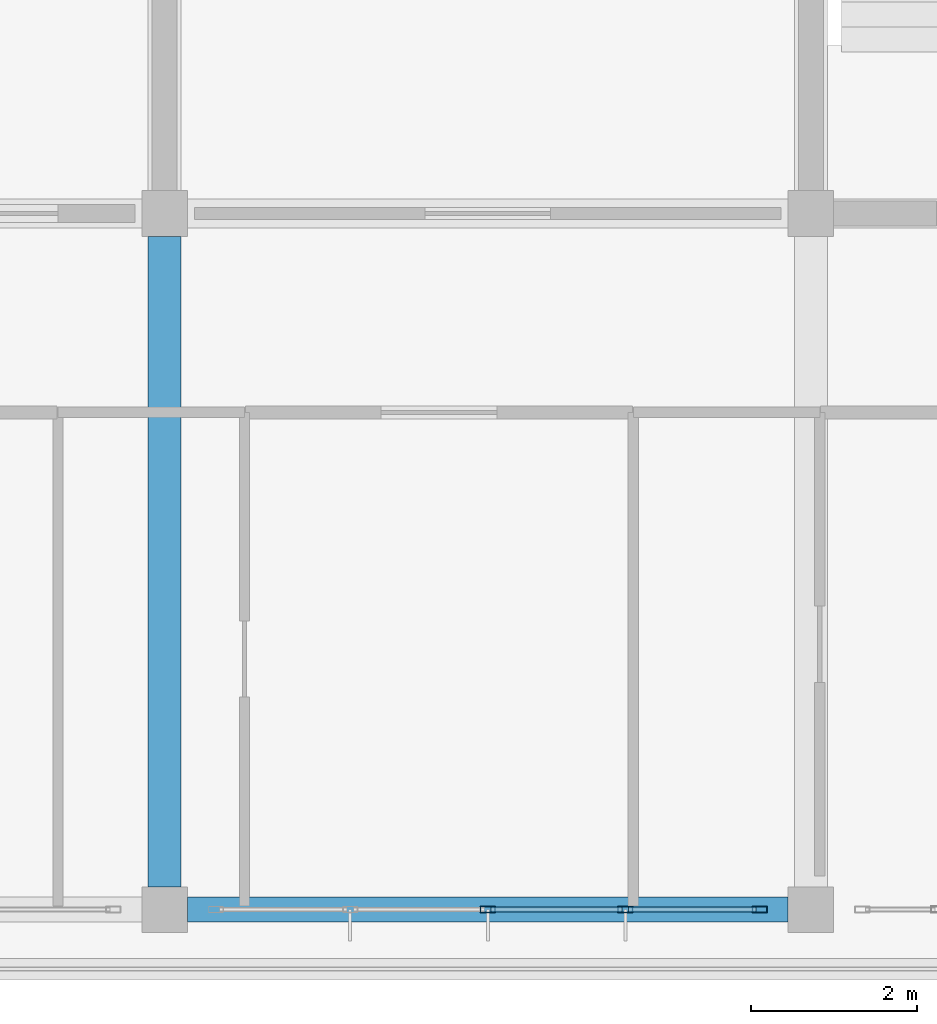
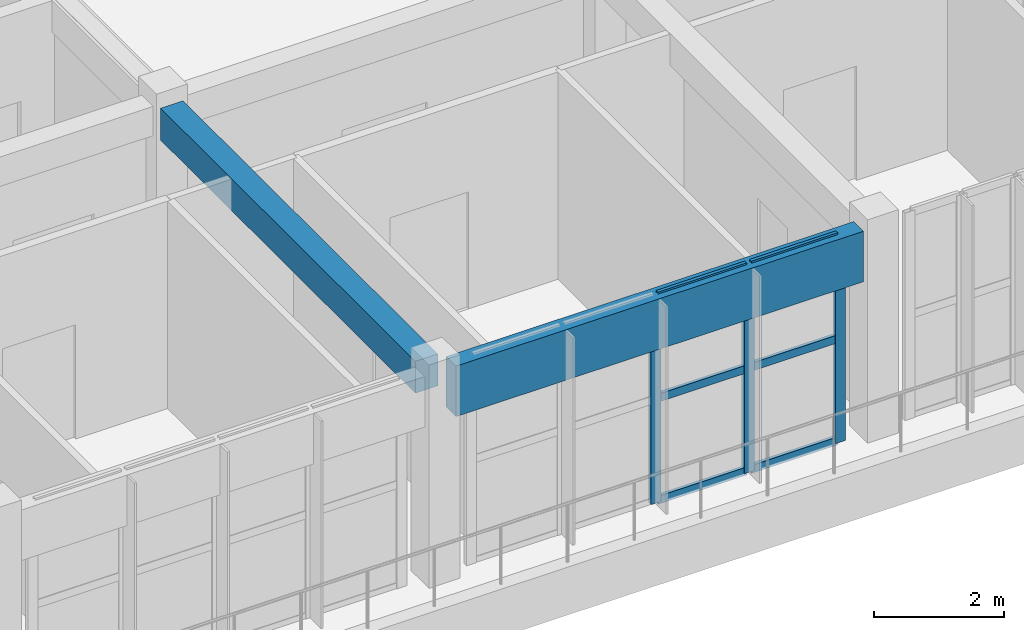
# One storey, part 14 of 44: 9 members, 2 beams, 1 element without a shape of its own.
"""IFC4 building model written with IfcOpenShell, lengths in metres."""

from ifc_helpers import new_model, si_unit, direction, frame, origin, origin_2d, place, context, subcontext, project, spatial, rectangle, hollow_rectangle, extrude, material, layer, layer_set, material_profile, profile_set, type_object, element, aggregate, save


model = new_model("IFC4")

# Units and contexts
model_context = context("Model", 3, precision=1e-05, world=origin(), true_north=direction((0.0, 1.0)))
body_context = subcontext(model_context, "Body", "Model", "MODEL_VIEW")
ifc_project = project(units=[si_unit("LENGTHUNIT", "METRE"), si_unit("AREAUNIT", "SQUARE_METRE"), si_unit("VOLUMEUNIT", "CUBIC_METRE"), si_unit("PLANEANGLEUNIT", "RADIAN"), si_unit("MASSUNIT", "GRAM", prefix="KILO")], contexts=[model_context])

# Site, building, storey
site_placement = place(None, origin())
site = spatial("IfcSite", under=ifc_project, at=site_placement, CompositionType="ELEMENT")
building_placement = place(site_placement, origin())
building = spatial("IfcBuilding", under=site, at=building_placement, Name="Zizhar Promenade General Hospital", CompositionType="ELEMENT")
storey_placement = place(building_placement, frame((0.0, 0.0, 34.800048828125)))
storey = spatial("IfcBuildingStorey", under=building, at=storey_placement, Name="L08", CompositionType="ELEMENT", Elevation=34.800048828125)

# Beams
ifc_material_1 = material(Name="Precast concrete C40/50", Category="concrete")
ifc_material_profile_1 = material_profile(ifc_material_1, rectangle(XDim=0.300048828125, YDim=0.949951171875, at=origin_2d()))
ifc_profile_set_1 = profile_set([ifc_material_profile_1], Name="Precast concrete C40/50")
beam_type_1 = type_object("IfcBeamType", Name="BM-PC-BAND950", PredefinedType="SPANDREL", material=ifc_profile_set_1)
beam_1_placement = place(storey_placement, frame((86.074951171875, 0.0, 3.43505859375), z_axis=(1.0, 0.0, 0.0), x_axis=(0.0, 1.0, 0.0)))
element("IfcBeam", 1, at=beam_1_placement, inside=storey, type_object=beam_type_1, Name="Grid Beam X L08 (11-0)", PredefinedType="SPANDREL", context=body_context, shape_type="SweptSolid", body=[
    extrude(rectangle(XDim=0.300048828125, YDim=0.949951171875, at=origin_2d()), origin(), (0.0, 0.0, 1.0), 7.25),
])
ifc_material_2 = material(Name="Concrete C35/45", Category="concrete")
ifc_material_profile_2 = material_profile(ifc_material_2, rectangle(XDim=0.39990234375, YDim=0.60009765625, at=origin_2d()))
ifc_profile_set_2 = profile_set([ifc_material_profile_2], Name="Concrete C35/45")
beam_type_2 = type_object("IfcBeamType", Name="BM-RC-400x600", PredefinedType="JOIST", material=ifc_profile_set_2)
beam_2_placement = place(storey_placement, frame((85.800048828125, 0.27490234375, 3.60986328125), z_axis=(0.0, 1.0, 0.0), x_axis=(-1.0, 0.0, 0.0)))
element("IfcBeam", 2, at=beam_2_placement, inside=storey, type_object=beam_type_2, Name="Grid Beam Y L08 (11-0)", PredefinedType="JOIST", context=body_context, shape_type="SweptSolid", body=[
    extrude(rectangle(XDim=0.39990234375, YDim=0.60009765625, at=origin_2d()), origin(), (0.0, 0.0, 1.0), 7.85009765625),
])

# Curtain wall, members
ifc_material_3 = material(Name="Anodised aluminium 6063-T6 and low-E glass", Category="aluminium")
ifc_layer = layer(ifc_material_3, 0.159912109375)
ifc_layer_set = layer_set([ifc_layer], Name="Anodised aluminium 6063-T6 and low-E glass")
curtain_wall_type = type_object("IfcCurtainWallType", Name="CW-WARD-RIB", PredefinedType="NOTDEFINED", material=ifc_layer_set)
curtain_wall_placement = place(storey_placement, origin())
curtain_wall = element("IfcCurtainWall", 3, at=curtain_wall_placement, inside=storey, type_object=curtain_wall_type, Name="Ward Ribbon Curtain Wall L08-17-1", PredefinedType="NOTDEFINED")
ifc_material_4 = material(Name="Anodised aluminium 6063-T6", Category="aluminium")
ifc_material_profile_3 = material_profile(ifc_material_4, hollow_rectangle(XDim=0.080078125, YDim=0.179931640625, WallThickness=0.0048828125, at=origin_2d()))
ifc_profile_set_3 = profile_set([ifc_material_profile_3], Name="Anodised aluminium 6063-T6")
member_type_1 = type_object("IfcMemberType", Name="CWM-ALU-180x80", PredefinedType="MULLION", material=ifc_profile_set_3)
member_1_placement = place(storey_placement, frame((92.97998046875, 0.0, 0.0), z_axis=(0.0, 0.0, 1.0), x_axis=(0.0, -1.0, 0.0)))
member_1 = element("IfcMember", 4, at=member_1_placement, type_object=member_type_1, Name="CW-13 mullion 1", PredefinedType="MULLION", context=body_context, shape_type="SweptSolid", body=[
    extrude(hollow_rectangle(XDim=0.080078125, YDim=0.179931640625, WallThickness=0.0048828125, at=origin_2d()), origin(), (0.0, 0.0, 1.0), 3.89990234375),
])
member_2_placement = place(storey_placement, frame((91.360107421875, 0.0, 0.0), z_axis=(0.0, 0.0, 1.0), x_axis=(0.0, -1.0, 0.0)))
member_2 = element("IfcMember", 5, at=member_2_placement, type_object=member_type_1, Name="CW-13 mullion 2", PredefinedType="MULLION", context=body_context, shape_type="SweptSolid", body=[
    extrude(hollow_rectangle(XDim=0.080078125, YDim=0.179931640625, WallThickness=0.0048828125, at=origin_2d()), origin(), (0.0, 0.0, 1.0), 3.89990234375),
])
member_3_placement = place(storey_placement, frame((89.699951171875, 0.0, 0.0), z_axis=(0.0, 0.0, 1.0), x_axis=(0.0, -1.0, 0.0)))
member_3 = element("IfcMember", 6, at=member_3_placement, type_object=member_type_1, Name="CW-13 mullion 3", PredefinedType="MULLION", context=body_context, shape_type="SweptSolid", body=[
    extrude(hollow_rectangle(XDim=0.080078125, YDim=0.179931640625, WallThickness=0.0048828125, at=origin_2d()), origin(), (0.0, 0.0, 1.0), 3.89990234375),
])
ifc_material_5 = material(Name="Anodised aluminium 6063-T6", Category="aluminium")
ifc_material_profile_4 = material_profile(ifc_material_5, hollow_rectangle(XDim=0.06005859375, YDim=0.14990234375, WallThickness=0.00390625, at=origin_2d()))
ifc_profile_set_4 = profile_set([ifc_material_profile_4], Name="Anodised aluminium 6063-T6")
member_type_2 = type_object("IfcMemberType", Name="CWT-ALU-150x60", PredefinedType="USERDEFINED", material=ifc_profile_set_4)
member_4_placement = place(storey_placement, frame((92.93994140625, 0.0, 0.030029296875), z_axis=(-1.0, 0.0, 0.0), x_axis=(0.0, -1.0, 0.0)))
member_4 = element("IfcMember", 7, at=member_4_placement, type_object=member_type_2, Name="CW-13 transom 1.1", ObjectType="TRANSOM", PredefinedType="USERDEFINED", context=body_context, shape_type="SweptSolid", body=[
    extrude(hollow_rectangle(XDim=0.06005859375, YDim=0.14990234375, WallThickness=0.00390625, at=origin_2d()), origin(), (0.0, 0.0, 1.0), 1.5400390625),
])
member_5_placement = place(storey_placement, frame((92.93994140625, 0.0, 1.949951171875), z_axis=(-1.0, 0.0, 0.0), x_axis=(0.0, -1.0, 0.0)))
member_5 = element("IfcMember", 8, at=member_5_placement, type_object=member_type_2, Name="CW-13 transom 1.2", ObjectType="TRANSOM", PredefinedType="USERDEFINED", context=body_context, shape_type="SweptSolid", body=[
    extrude(hollow_rectangle(XDim=0.06005859375, YDim=0.14990234375, WallThickness=0.00390625, at=origin_2d()), origin(), (0.0, 0.0, 1.0), 1.5400390625),
])
member_6_placement = place(storey_placement, frame((92.93994140625, 0.0, 3.869873046875), z_axis=(-1.0, 0.0, 0.0), x_axis=(0.0, -1.0, 0.0)))
member_6 = element("IfcMember", 9, at=member_6_placement, type_object=member_type_2, Name="CW-13 transom 1.3", ObjectType="TRANSOM", PredefinedType="USERDEFINED", context=body_context, shape_type="SweptSolid", body=[
    extrude(hollow_rectangle(XDim=0.06005859375, YDim=0.14990234375, WallThickness=0.00390625, at=origin_2d()), origin(), (0.0, 0.0, 1.0), 1.5400390625),
])
member_7_placement = place(storey_placement, frame((91.320068359375, 0.0, 0.030029296875), z_axis=(-1.0, 0.0, 0.0), x_axis=(0.0, -1.0, 0.0)))
member_7 = element("IfcMember", 10, at=member_7_placement, type_object=member_type_2, Name="CW-13 transom 2.1", ObjectType="TRANSOM", PredefinedType="USERDEFINED", context=body_context, shape_type="SweptSolid", body=[
    extrude(hollow_rectangle(XDim=0.06005859375, YDim=0.14990234375, WallThickness=0.00390625, at=origin_2d()), origin(), (0.0, 0.0, 1.0), 1.580078125),
])
member_8_placement = place(storey_placement, frame((91.320068359375, 0.0, 1.949951171875), z_axis=(-1.0, 0.0, 0.0), x_axis=(0.0, -1.0, 0.0)))
member_8 = element("IfcMember", 11, at=member_8_placement, type_object=member_type_2, Name="CW-13 transom 2.2", ObjectType="TRANSOM", PredefinedType="USERDEFINED", context=body_context, shape_type="SweptSolid", body=[
    extrude(hollow_rectangle(XDim=0.06005859375, YDim=0.14990234375, WallThickness=0.00390625, at=origin_2d()), origin(), (0.0, 0.0, 1.0), 1.580078125),
])
member_9_placement = place(storey_placement, frame((91.320068359375, 0.0, 3.869873046875), z_axis=(-1.0, 0.0, 0.0), x_axis=(0.0, -1.0, 0.0)))
member_9 = element("IfcMember", 12, at=member_9_placement, type_object=member_type_2, Name="CW-13 transom 2.3", ObjectType="TRANSOM", PredefinedType="USERDEFINED", context=body_context, shape_type="SweptSolid", body=[
    extrude(hollow_rectangle(XDim=0.06005859375, YDim=0.14990234375, WallThickness=0.00390625, at=origin_2d()), origin(), (0.0, 0.0, 1.0), 1.580078125),
])
aggregate(curtain_wall, [member_1, member_2, member_3, member_4, member_5, member_6, member_7, member_8, member_9])

save(model, "model.ifc")
